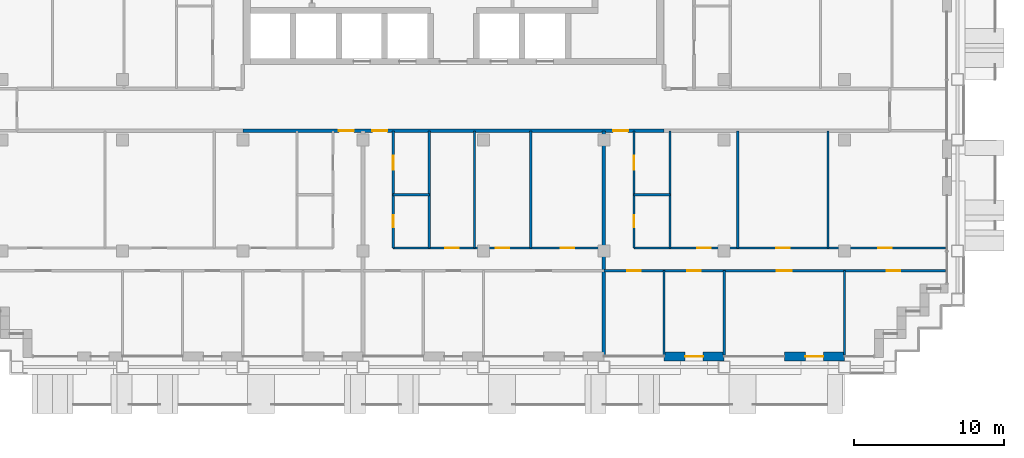
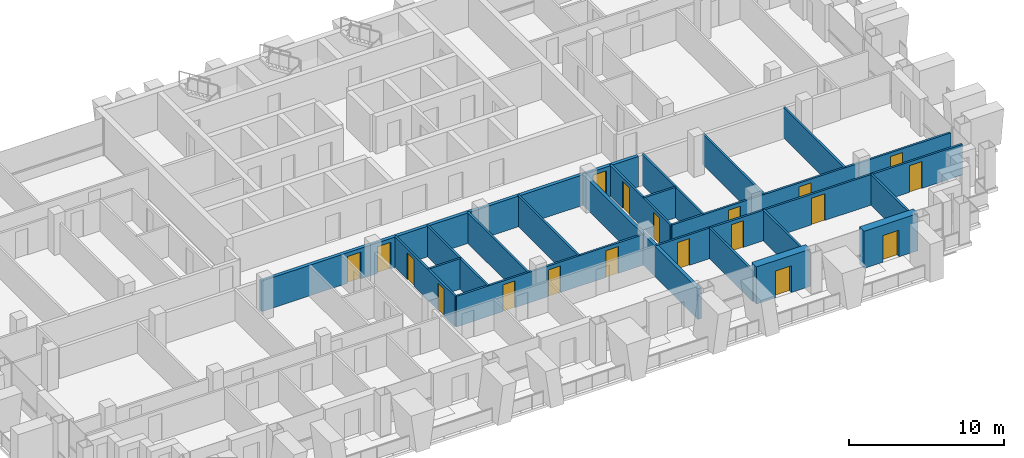
# One storey, part 9 of 16: 20 walls, 19 doors, 19 openings.
"""IFC4 building model written with IfcOpenShell, lengths in metres."""

from ifc_helpers import new_model, si_unit, direction, frame, frame_2d, origin, place, context, subcontext, project, spatial, rectangle, extrude, material, layer, layer_set, type_object, element, fill, save


model = new_model("IFC4")

# Units and contexts
model_context = context("Model", 3, precision=1e-05, world=origin(), true_north=direction((0.0, 1.0)))
body_context = subcontext(model_context, "Body", "Model", "MODEL_VIEW")
ifc_project = project(units=[si_unit("LENGTHUNIT", "METRE"), si_unit("AREAUNIT", "SQUARE_METRE"), si_unit("VOLUMEUNIT", "CUBIC_METRE"), si_unit("PLANEANGLEUNIT", "RADIAN"), si_unit("MASSUNIT", "GRAM", prefix="KILO")], contexts=[model_context])

# Site, building, storey
site_placement = place(None, origin())
site = spatial("IfcSite", under=ifc_project, at=site_placement, CompositionType="ELEMENT")
building_placement = place(site_placement, origin())
building = spatial("IfcBuilding", under=site, at=building_placement, Name="Vidyagriha Tower", CompositionType="ELEMENT")
storey_placement = place(building_placement, frame((0.0, 0.0, 135.800048828125)))
storey = spatial("IfcBuildingStorey", under=building, at=storey_placement, Name="L35", CompositionType="ELEMENT", Elevation=135.800048828125)

# Wall, opening, door
ifc_material_1 = material(Name="Precast concrete C40/50 with brick facing", Category="concrete")
ifc_layer_1 = layer(ifc_material_1, 0.60009765625)
ifc_layer_set_1 = layer_set([ifc_layer_1], Name="Precast concrete C40/50 with brick facing")
wall_type_1 = type_object("IfcWallType", Name="Brick-faced precast wall 600", PredefinedType="STANDARD", material=ifc_layer_set_1)
wall_1_placement = place(storey_placement, frame((14.0, -16.39990234375, 0.0)))
wall_1 = element("IfcWall", 1, at=wall_1_placement, inside=storey, type_object=wall_type_1, Name="Brick door bay wall L35 R23.12", PredefinedType="STANDARD", context=body_context, shape_type="SweptSolid", body=[
    extrude(rectangle(XDim=4.0, YDim=0.60009765625, at=frame_2d((2.0, 0.0))), origin(), (0.0, 0.0, 1.0), 2.919921875),
])
opening_1_placement = place(wall_1_placement, frame((1.39990234375, 0.0, 0.0)))
opening_1 = element("IfcOpeningElement", 2, at=opening_1_placement, cuts=wall_1, Name="Opening D35-72", PredefinedType="OPENING", context=body_context, shape_type="SweptSolid", body=[
    extrude(rectangle(XDim=1.199951171875, YDim=2.10009765625, at=frame_2d((0.60009765625, 1.050048828125))), frame((0.0, 0.31005859375, 0.0), z_axis=(0.0, -1.0, 0.0), x_axis=(1.0, 0.0, 0.0)), (0.0, 0.0, 1.0), 0.6201171875),
])
ifc_material_2 = material(Name="Aluminium framed glazed sliding door", Category="aluminium")
door_type_1 = type_object("IfcDoorType", Name="Balcony sliding door 1200x2100", OperationType="NOTDEFINED", PredefinedType="DOOR", material=ifc_material_2)
door_1_placement = place(opening_1_placement, origin())
door_1 = element("IfcDoor", 3, at=door_1_placement, inside=storey, type_object=door_type_1, Name="Door D35-72", OperationType="SLIDING_TO_LEFT", OverallHeight=2.10009765625, OverallWidth=1.199951171875, PredefinedType="DOOR", context=body_context, shape_type="SweptSolid", body=[
    extrude(rectangle(XDim=1.199951171875, YDim=2.10009765625, at=frame_2d((0.60009765625, 1.050048828125))), frame((0.0, 0.02490234375, 0.0), z_axis=(0.0, -1.0, 0.0), x_axis=(1.0, 0.0, 0.0)), (0.0, 0.0, 1.0), 0.050048828125),
])
fill(opening_1, door_1)

wall_2_placement = place(storey_placement, frame((22.0, -16.39990234375, 0.0)))
wall_2 = element("IfcWall", 4, at=wall_2_placement, inside=storey, type_object=wall_type_1, Name="Brick door bay wall L35 R23.14", PredefinedType="STANDARD", context=body_context, shape_type="SweptSolid", body=[
    extrude(rectangle(XDim=4.0, YDim=0.60009765625, at=frame_2d((2.0, 0.0))), origin(), (0.0, 0.0, 1.0), 2.919921875),
])
opening_2_placement = place(wall_2_placement, frame((1.39990234375, 0.0, 0.0)))
opening_2 = element("IfcOpeningElement", 5, at=opening_2_placement, cuts=wall_2, Name="Opening D35-73", PredefinedType="OPENING", context=body_context, shape_type="SweptSolid", body=[
    extrude(rectangle(XDim=1.199951171875, YDim=2.10009765625, at=frame_2d((0.60009765625, 1.050048828125))), frame((0.0, 0.31005859375, 0.0), z_axis=(0.0, -1.0, 0.0), x_axis=(1.0, 0.0, 0.0)), (0.0, 0.0, 1.0), 0.6201171875),
])
door_2_placement = place(opening_2_placement, origin())
door_2 = element("IfcDoor", 6, at=door_2_placement, inside=storey, type_object=door_type_1, Name="Door D35-73", OperationType="SLIDING_TO_LEFT", OverallHeight=2.10009765625, OverallWidth=1.199951171875, PredefinedType="DOOR", context=body_context, shape_type="SweptSolid", body=[
    extrude(rectangle(XDim=1.199951171875, YDim=2.10009765625, at=frame_2d((0.60009765625, 1.050048828125))), frame((0.0, 0.02490234375, 0.0), z_axis=(0.0, -1.0, 0.0), x_axis=(1.0, 0.0, 0.0)), (0.0, 0.0, 1.0), 0.050048828125),
])
fill(opening_2, door_2)

# Wall, openings, doors
ifc_material_3 = material(Name="Fired clay brick masonry", Category="masonry")
ifc_layer_2 = layer(ifc_material_3, 0.25)
ifc_layer_set_2 = layer_set([ifc_layer_2], Name="Fired clay brick masonry")
wall_type_2 = type_object("IfcWallType", Name="Fired clay brick corridor wall 250", PredefinedType="PARTITIONING", material=ifc_layer_set_2)
wall_3_placement = place(storey_placement, frame((14.0, -1.39990234375, 0.0), z_axis=(0.0, 0.0, 1.0), x_axis=(-1.0, 0.0, 0.0)))
wall_3 = element("IfcWall", 7, at=wall_3_placement, inside=storey, type_object=wall_type_2, Name="Wall all-L35-w112", PredefinedType="PARTITIONING", context=body_context, shape_type="SweptSolid", body=[
    extrude(rectangle(XDim=28.0, YDim=0.25, at=frame_2d((14.0, 0.0))), origin(), (0.0, 0.0, 1.0), 2.39990234375),
])
opening_3_placement = place(wall_3_placement, frame((20.617919921875, 0.0, 0.0)))
opening_3 = element("IfcOpeningElement", 8, at=opening_3_placement, cuts=wall_3, Name="Opening D35-25", PredefinedType="OPENING", context=body_context, shape_type="SweptSolid", body=[
    extrude(rectangle(XDim=1.0, YDim=2.10009765625, at=frame_2d((0.5, 1.050048828125))), frame((0.0, 0.135009765625, 0.0), z_axis=(0.0, -1.0, 0.0), x_axis=(1.0, 0.0, 0.0)), (0.0, 0.0, 1.0), 0.27001953125),
])
opening_4_placement = place(wall_3_placement, frame((18.382080078125, 0.0, 0.0)))
opening_4 = element("IfcOpeningElement", 9, at=opening_4_placement, cuts=wall_3, Name="Opening D35-34", PredefinedType="OPENING", context=body_context, shape_type="SweptSolid", body=[
    extrude(rectangle(XDim=1.0, YDim=2.10009765625, at=frame_2d((0.5, 1.050048828125))), frame((0.0, 0.135009765625, 0.0), z_axis=(0.0, -1.0, 0.0), x_axis=(1.0, 0.0, 0.0)), (0.0, 0.0, 1.0), 0.27001953125),
])
opening_5_placement = place(wall_3_placement, frame((2.382080078125, 0.0, 0.0)))
opening_5 = element("IfcOpeningElement", 10, at=opening_5_placement, cuts=wall_3, Name="Opening D35-44", PredefinedType="OPENING", context=body_context, shape_type="SweptSolid", body=[
    extrude(rectangle(XDim=1.0, YDim=2.10009765625, at=frame_2d((0.5, 1.050048828125))), frame((0.0, 0.135009765625, 0.0), z_axis=(0.0, -1.0, 0.0), x_axis=(1.0, 0.0, 0.0)), (0.0, 0.0, 1.0), 0.27001953125),
])
ifc_material_4 = material(Name="Fire-rated timber door leaf EI 60", Category="wood")
door_type_2 = type_object("IfcDoorType", Name="Flat entrance fire door 1000x2100", OperationType="NOTDEFINED", PredefinedType="DOOR", material=ifc_material_4)
door_3_placement = place(opening_3_placement, origin())
door_3 = element("IfcDoor", 11, at=door_3_placement, inside=storey, type_object=door_type_2, Name="Door D35-25", OperationType="SINGLE_SWING_LEFT", OverallHeight=2.10009765625, OverallWidth=1.0, PredefinedType="DOOR", context=body_context, shape_type="SweptSolid", body=[
    extrude(rectangle(XDim=1.0, YDim=2.10009765625, at=frame_2d((0.5, 1.050048828125))), frame((0.0, 0.02490234375, 0.0), z_axis=(0.0, -1.0, 0.0), x_axis=(1.0, 0.0, 0.0)), (0.0, 0.0, 1.0), 0.050048828125),
])
fill(opening_3, door_3)
door_4_placement = place(opening_4_placement, origin())
door_4 = element("IfcDoor", 12, at=door_4_placement, inside=storey, type_object=door_type_2, Name="Door D35-34", OperationType="SINGLE_SWING_RIGHT", OverallHeight=2.10009765625, OverallWidth=1.0, PredefinedType="DOOR", context=body_context, shape_type="SweptSolid", body=[
    extrude(rectangle(XDim=1.0, YDim=2.10009765625, at=frame_2d((0.5, 1.050048828125))), frame((0.0, 0.02490234375, 0.0), z_axis=(0.0, -1.0, 0.0), x_axis=(1.0, 0.0, 0.0)), (0.0, 0.0, 1.0), 0.050048828125),
])
fill(opening_4, door_4)
door_5_placement = place(opening_5_placement, origin())
door_5 = element("IfcDoor", 13, at=door_5_placement, inside=storey, type_object=door_type_2, Name="Door D35-44", OperationType="SINGLE_SWING_RIGHT", OverallHeight=2.10009765625, OverallWidth=1.0, PredefinedType="DOOR", context=body_context, shape_type="SweptSolid", body=[
    extrude(rectangle(XDim=1.0, YDim=2.10009765625, at=frame_2d((0.5, 1.050048828125))), frame((0.0, 0.02490234375, 0.0), z_axis=(0.0, -1.0, 0.0), x_axis=(1.0, 0.0, 0.0)), (0.0, 0.0, 1.0), 0.050048828125),
])
fill(opening_5, door_5)

# Walls
ifc_material_5 = material(Name="Fired clay brick masonry", Category="masonry")
ifc_layer_3 = layer(ifc_material_5, 0.25)
ifc_layer_set_3 = layer_set([ifc_layer_3], Name="Fired clay brick masonry")
wall_type_3 = type_object("IfcWallType", Name="Fired clay brick demising wall 250", PredefinedType="PARTITIONING", material=ifc_layer_set_3)
wall_4_placement = place(storey_placement, frame((10.0, -1.39990234375, 0.0), z_axis=(0.0, 0.0, 1.0), x_axis=(0.0, -1.0, 0.0)))
element("IfcWall", 14, at=wall_4_placement, inside=storey, type_object=wall_type_3, Name="Wall all-L35-w062", PredefinedType="PARTITIONING", context=body_context, shape_type="SweptSolid", body=[
    extrude(rectangle(XDim=14.91015625, YDim=0.25, at=frame_2d((7.455078125, 0.0))), origin(), (0.0, 0.0, 1.0), 2.39990234375),
])
ifc_material_6 = material(Name="Gypsum board partition")
ifc_layer_4 = layer(ifc_material_6, 0.14990234375)
ifc_layer_set_4 = layer_set([ifc_layer_4], Name="Gypsum board partition")
wall_type_4 = type_object("IfcWallType", Name="Gypsum board partition 150", PredefinedType="PARTITIONING", material=ifc_layer_set_4)
wall_5_placement = place(storey_placement, frame((-1.60009765625, -5.64990234375, 0.0), z_axis=(0.0, 0.0, 1.0), x_axis=(-1.0, 0.0, 0.0)))
element("IfcWall", 15, at=wall_5_placement, inside=storey, type_object=wall_type_4, Name="Wall all-L35-w026", PredefinedType="PARTITIONING", context=body_context, shape_type="SweptSolid", body=[
    extrude(rectangle(XDim=2.39990234375, YDim=0.14990234375, at=frame_2d((1.199951171875, 0.0))), origin(), (0.0, 0.0, 1.0), 2.39990234375),
])
for number, where, z_axis, x_axis, name in (
    (16, (-1.60009765625, -1.39990234375, 0.0), (0.0, 0.0, 1.0), (0.0, -1.0, 0.0), "Wall all-L35-w027"),
    (17, (1.39990234375, -1.39990234375, 0.0), (0.0, 0.0, 1.0), (0.0, -1.0, 0.0), "Wall all-L35-w028"),
    (18, (5.14990234375, -1.39990234375, 0.0), (0.0, 0.0, 1.0), (0.0, -1.0, 0.0), "Wall all-L35-w029"),
):
    element("IfcWall", number, at=place(storey_placement, frame(where, z_axis=z_axis, x_axis=x_axis)), inside=storey, type_object=wall_type_4, Name=name, PredefinedType="PARTITIONING", context=body_context, shape_type="SweptSolid", body=[
        extrude(rectangle(XDim=7.800048828125, YDim=0.14990234375, at=frame_2d((3.89990234375, 0.0))), origin(), (0.0, 0.0, 1.0), 2.39990234375),
    ])

# Wall, openings, doors
wall_6_placement = place(storey_placement, frame((-4.0, -9.199951171875, 0.0)))
wall_6 = element("IfcWall", 19, at=wall_6_placement, inside=storey, type_object=wall_type_4, Name="Wall all-L35-w030", PredefinedType="PARTITIONING", context=body_context, shape_type="SweptSolid", body=[
    extrude(rectangle(XDim=14.0, YDim=0.14990234375, at=frame_2d((7.0, 0.0))), origin(), (0.0, 0.0, 1.0), 2.39990234375),
])
opening_6_placement = place(wall_6_placement, frame((3.449951171875, 0.0, 0.0)))
opening_6 = element("IfcOpeningElement", 20, at=opening_6_placement, cuts=wall_6, Name="Opening D35-28", PredefinedType="OPENING", context=body_context, shape_type="SweptSolid", body=[
    extrude(rectangle(XDim=0.89990234375, YDim=2.10009765625, at=frame_2d((0.449951171875, 1.050048828125))), frame((0.0, 0.0849609375, 0.0), z_axis=(0.0, -1.0, 0.0), x_axis=(1.0, 0.0, 0.0)), (0.0, 0.0, 1.0), 0.169921875),
])
opening_7_placement = place(wall_6_placement, frame((6.824951171875, 0.0, 0.0)))
opening_7 = element("IfcOpeningElement", 21, at=opening_7_placement, cuts=wall_6, Name="Opening D35-29", PredefinedType="OPENING", context=body_context, shape_type="SweptSolid", body=[
    extrude(rectangle(XDim=0.89990234375, YDim=2.10009765625, at=frame_2d((0.449951171875, 1.050048828125))), frame((0.0, 0.0849609375, 0.0), z_axis=(0.0, -1.0, 0.0), x_axis=(1.0, 0.0, 0.0)), (0.0, 0.0, 1.0), 0.169921875),
])
opening_8_placement = place(wall_6_placement, frame((11.125, 0.0, 0.0)))
opening_8 = element("IfcOpeningElement", 22, at=opening_8_placement, cuts=wall_6, Name="Opening D35-30", PredefinedType="OPENING", context=body_context, shape_type="SweptSolid", body=[
    extrude(rectangle(XDim=0.89990234375, YDim=2.10009765625, at=frame_2d((0.449951171875, 1.050048828125))), frame((0.0, 0.0849609375, 0.0), z_axis=(0.0, -1.0, 0.0), x_axis=(1.0, 0.0, 0.0)), (0.0, 0.0, 1.0), 0.169921875),
])
ifc_material_7 = material(Name="Timber door leaf", Category="wood")
door_type_3 = type_object("IfcDoorType", Name="Room door 900x2100", OperationType="NOTDEFINED", PredefinedType="DOOR", material=ifc_material_7)
door_6_placement = place(opening_6_placement, origin())
door_6 = element("IfcDoor", 23, at=door_6_placement, inside=storey, type_object=door_type_3, Name="Door D35-28", OperationType="SINGLE_SWING_RIGHT", OverallHeight=2.10009765625, OverallWidth=0.89990234375, PredefinedType="DOOR", context=body_context, shape_type="SweptSolid", body=[
    extrude(rectangle(XDim=0.89990234375, YDim=2.10009765625, at=frame_2d((0.449951171875, 1.050048828125))), frame((0.0, 0.02490234375, 0.0), z_axis=(0.0, -1.0, 0.0), x_axis=(1.0, 0.0, 0.0)), (0.0, 0.0, 1.0), 0.050048828125),
])
fill(opening_6, door_6)
door_7_placement = place(opening_7_placement, origin())
door_7 = element("IfcDoor", 24, at=door_7_placement, inside=storey, type_object=door_type_3, Name="Door D35-29", OperationType="SINGLE_SWING_RIGHT", OverallHeight=2.10009765625, OverallWidth=0.89990234375, PredefinedType="DOOR", context=body_context, shape_type="SweptSolid", body=[
    extrude(rectangle(XDim=0.89990234375, YDim=2.10009765625, at=frame_2d((0.449951171875, 1.050048828125))), frame((0.0, 0.02490234375, 0.0), z_axis=(0.0, -1.0, 0.0), x_axis=(1.0, 0.0, 0.0)), (0.0, 0.0, 1.0), 0.050048828125),
])
fill(opening_7, door_7)
door_8_placement = place(opening_8_placement, origin())
door_8 = element("IfcDoor", 25, at=door_8_placement, inside=storey, type_object=door_type_3, Name="Door D35-30", OperationType="SINGLE_SWING_LEFT", OverallHeight=2.10009765625, OverallWidth=0.89990234375, PredefinedType="DOOR", context=body_context, shape_type="SweptSolid", body=[
    extrude(rectangle(XDim=0.89990234375, YDim=2.10009765625, at=frame_2d((0.449951171875, 1.050048828125))), frame((0.0, 0.02490234375, 0.0), z_axis=(0.0, -1.0, 0.0), x_axis=(1.0, 0.0, 0.0)), (0.0, 0.0, 1.0), 0.050048828125),
])
fill(opening_8, door_8)

# Walls
wall_7_placement = place(storey_placement, frame((14.39990234375, -5.64990234375, 0.0), z_axis=(0.0, 0.0, 1.0), x_axis=(-1.0, 0.0, 0.0)))
element("IfcWall", 26, at=wall_7_placement, inside=storey, type_object=wall_type_4, Name="Wall all-L35-w045", PredefinedType="PARTITIONING", context=body_context, shape_type="SweptSolid", body=[
    extrude(rectangle(XDim=2.39990234375, YDim=0.14990234375, at=frame_2d((1.199951171875, 0.0))), origin(), (0.0, 0.0, 1.0), 2.39990234375),
])
for number, where, z_axis, x_axis, name in (
    (27, (14.39990234375, -1.39990234375, 0.0), (0.0, 0.0, 1.0), (0.0, -1.0, 0.0), "Wall all-L35-w046"),
    (28, (18.89990234375, -1.39990234375, 0.0), (0.0, 0.0, 1.0), (0.0, -1.0, 0.0), "Wall all-L35-w047"),
    (29, (24.89990234375, -1.39990234375, 0.0), (0.0, 0.0, 1.0), (0.0, -1.0, 0.0), "Wall all-L35-w048"),
):
    element("IfcWall", number, at=place(storey_placement, frame(where, z_axis=z_axis, x_axis=x_axis)), inside=storey, type_object=wall_type_4, Name=name, PredefinedType="PARTITIONING", context=body_context, shape_type="SweptSolid", body=[
        extrude(rectangle(XDim=7.800048828125, YDim=0.14990234375, at=frame_2d((3.89990234375, 0.0))), origin(), (0.0, 0.0, 1.0), 2.39990234375),
    ])

# Wall, openings, doors
wall_8_placement = place(storey_placement, frame((12.0, -9.199951171875, 0.0)))
wall_8 = element("IfcWall", 30, at=wall_8_placement, inside=storey, type_object=wall_type_4, Name="Wall all-L35-w049", PredefinedType="PARTITIONING", context=body_context, shape_type="SweptSolid", body=[
    extrude(rectangle(XDim=20.719970703125, YDim=0.14990234375, at=frame_2d((10.35986328125, 0.0))), origin(), (0.0, 0.0, 1.0), 2.39990234375),
])
opening_9_placement = place(wall_8_placement, frame((4.199951171875, 0.0, 0.0)))
opening_9 = element("IfcOpeningElement", 31, at=opening_9_placement, cuts=wall_8, Name="Opening D35-37", PredefinedType="OPENING", context=body_context, shape_type="SweptSolid", body=[
    extrude(rectangle(XDim=0.89990234375, YDim=2.10009765625, at=frame_2d((0.449951171875, 1.050048828125))), frame((0.0, 0.0849609375, 0.0), z_axis=(0.0, -1.0, 0.0), x_axis=(1.0, 0.0, 0.0)), (0.0, 0.0, 1.0), 0.169921875),
])
opening_10_placement = place(wall_8_placement, frame((9.449951171875, 0.0, 0.0)))
opening_10 = element("IfcOpeningElement", 32, at=opening_10_placement, cuts=wall_8, Name="Opening D35-38", PredefinedType="OPENING", context=body_context, shape_type="SweptSolid", body=[
    extrude(rectangle(XDim=0.89990234375, YDim=2.10009765625, at=frame_2d((0.449951171875, 1.050048828125))), frame((0.0, 0.0849609375, 0.0), z_axis=(0.0, -1.0, 0.0), x_axis=(1.0, 0.0, 0.0)), (0.0, 0.0, 1.0), 0.169921875),
])
opening_11_placement = place(wall_8_placement, frame((16.25, 0.0, 0.0)))
opening_11 = element("IfcOpeningElement", 33, at=opening_11_placement, cuts=wall_8, Name="Opening D35-39", PredefinedType="OPENING", context=body_context, shape_type="SweptSolid", body=[
    extrude(rectangle(XDim=0.89990234375, YDim=2.10009765625, at=frame_2d((0.449951171875, 1.050048828125))), frame((0.0, 0.0849609375, 0.0), z_axis=(0.0, -1.0, 0.0), x_axis=(1.0, 0.0, 0.0)), (0.0, 0.0, 1.0), 0.169921875),
])
door_9_placement = place(opening_9_placement, origin())
door_9 = element("IfcDoor", 34, at=door_9_placement, inside=storey, type_object=door_type_3, Name="Door D35-37", OperationType="SINGLE_SWING_LEFT", OverallHeight=2.10009765625, OverallWidth=0.89990234375, PredefinedType="DOOR", context=body_context, shape_type="SweptSolid", body=[
    extrude(rectangle(XDim=0.89990234375, YDim=2.10009765625, at=frame_2d((0.449951171875, 1.050048828125))), frame((0.0, 0.02490234375, 0.0), z_axis=(0.0, -1.0, 0.0), x_axis=(1.0, 0.0, 0.0)), (0.0, 0.0, 1.0), 0.050048828125),
])
fill(opening_9, door_9)
door_10_placement = place(opening_10_placement, origin())
door_10 = element("IfcDoor", 35, at=door_10_placement, inside=storey, type_object=door_type_3, Name="Door D35-38", OperationType="SINGLE_SWING_RIGHT", OverallHeight=2.10009765625, OverallWidth=0.89990234375, PredefinedType="DOOR", context=body_context, shape_type="SweptSolid", body=[
    extrude(rectangle(XDim=0.89990234375, YDim=2.10009765625, at=frame_2d((0.449951171875, 1.050048828125))), frame((0.0, 0.02490234375, 0.0), z_axis=(0.0, -1.0, 0.0), x_axis=(1.0, 0.0, 0.0)), (0.0, 0.0, 1.0), 0.050048828125),
])
fill(opening_10, door_10)
door_11_placement = place(opening_11_placement, origin())
door_11 = element("IfcDoor", 36, at=door_11_placement, inside=storey, type_object=door_type_3, Name="Door D35-39", OperationType="SINGLE_SWING_RIGHT", OverallHeight=2.10009765625, OverallWidth=0.89990234375, PredefinedType="DOOR", context=body_context, shape_type="SweptSolid", body=[
    extrude(rectangle(XDim=0.89990234375, YDim=2.10009765625, at=frame_2d((0.449951171875, 1.050048828125))), frame((0.0, 0.02490234375, 0.0), z_axis=(0.0, -1.0, 0.0), x_axis=(1.0, 0.0, 0.0)), (0.0, 0.0, 1.0), 0.050048828125),
])
fill(opening_11, door_11)

wall_9_placement = place(storey_placement, frame((32.719970703125, -10.699951171875, 0.0), z_axis=(0.0, 0.0, 1.0), x_axis=(-1.0, 0.0, 0.0)))
wall_9 = element("IfcWall", 37, at=wall_9_placement, inside=storey, type_object=wall_type_4, Name="Wall all-L35-w053", PredefinedType="PARTITIONING", context=body_context, shape_type="SweptSolid", body=[
    extrude(rectangle(XDim=22.719970703125, YDim=0.14990234375, at=frame_2d((11.35986328125, 0.0))), origin(), (0.0, 0.0, 1.0), 2.39990234375),
])
opening_12_placement = place(wall_9_placement, frame((20.27001953125, 0.0, 0.0)))
opening_12 = element("IfcOpeningElement", 38, at=opening_12_placement, cuts=wall_9, Name="Opening D35-40", PredefinedType="OPENING", context=body_context, shape_type="SweptSolid", body=[
    extrude(rectangle(XDim=0.89990234375, YDim=2.10009765625, at=frame_2d((0.449951171875, 1.050048828125))), frame((0.0, 0.0849609375, 0.0), z_axis=(0.0, -1.0, 0.0), x_axis=(1.0, 0.0, 0.0)), (0.0, 0.0, 1.0), 0.169921875),
])
opening_13_placement = place(wall_9_placement, frame((16.27001953125, 0.0, 0.0)))
opening_13 = element("IfcOpeningElement", 39, at=opening_13_placement, cuts=wall_9, Name="Opening D35-41", PredefinedType="OPENING", context=body_context, shape_type="SweptSolid", body=[
    extrude(rectangle(XDim=0.89990234375, YDim=2.10009765625, at=frame_2d((0.449951171875, 1.050048828125))), frame((0.0, 0.0849609375, 0.0), z_axis=(0.0, -1.0, 0.0), x_axis=(1.0, 0.0, 0.0)), (0.0, 0.0, 1.0), 0.169921875),
])
opening_14_placement = place(wall_9_placement, frame((10.219970703125, 0.0, 0.0)))
opening_14 = element("IfcOpeningElement", 40, at=opening_14_placement, cuts=wall_9, Name="Opening D35-42", PredefinedType="OPENING", context=body_context, shape_type="SweptSolid", body=[
    extrude(rectangle(XDim=1.0, YDim=2.10009765625, at=frame_2d((0.5, 1.050048828125))), frame((0.0, 0.0849609375, 0.0), z_axis=(0.0, -1.0, 0.0), x_axis=(1.0, 0.0, 0.0)), (0.0, 0.0, 1.0), 0.169921875),
])
opening_15_placement = place(wall_9_placement, frame((3.02001953125, 0.0, 0.0)))
opening_15 = element("IfcOpeningElement", 41, at=opening_15_placement, cuts=wall_9, Name="Opening D35-43", PredefinedType="OPENING", context=body_context, shape_type="SweptSolid", body=[
    extrude(rectangle(XDim=0.89990234375, YDim=2.10009765625, at=frame_2d((0.449951171875, 1.050048828125))), frame((0.0, 0.0849609375, 0.0), z_axis=(0.0, -1.0, 0.0), x_axis=(1.0, 0.0, 0.0)), (0.0, 0.0, 1.0), 0.169921875),
])
ifc_material_8 = material(Name="Timber door leaf", Category="wood")
door_type_4 = type_object("IfcDoorType", Name="Room door 1000x2100", OperationType="NOTDEFINED", PredefinedType="DOOR", material=ifc_material_8)
door_12_placement = place(opening_14_placement, origin())
door_12 = element("IfcDoor", 42, at=door_12_placement, inside=storey, type_object=door_type_4, Name="Door D35-42", OperationType="SINGLE_SWING_RIGHT", OverallHeight=2.10009765625, OverallWidth=1.0, PredefinedType="DOOR", context=body_context, shape_type="SweptSolid", body=[
    extrude(rectangle(XDim=1.0, YDim=2.10009765625, at=frame_2d((0.5, 1.050048828125))), frame((0.0, 0.02490234375, 0.0), z_axis=(0.0, -1.0, 0.0), x_axis=(1.0, 0.0, 0.0)), (0.0, 0.0, 1.0), 0.050048828125),
])
fill(opening_14, door_12)
door_13_placement = place(opening_12_placement, origin())
door_13 = element("IfcDoor", 43, at=door_13_placement, inside=storey, type_object=door_type_3, Name="Door D35-40", OperationType="SINGLE_SWING_RIGHT", OverallHeight=2.10009765625, OverallWidth=0.89990234375, PredefinedType="DOOR", context=body_context, shape_type="SweptSolid", body=[
    extrude(rectangle(XDim=0.89990234375, YDim=2.10009765625, at=frame_2d((0.449951171875, 1.050048828125))), frame((0.0, 0.02490234375, 0.0), z_axis=(0.0, -1.0, 0.0), x_axis=(1.0, 0.0, 0.0)), (0.0, 0.0, 1.0), 0.050048828125),
])
fill(opening_12, door_13)
door_14_placement = place(opening_13_placement, origin())
door_14 = element("IfcDoor", 44, at=door_14_placement, inside=storey, type_object=door_type_3, Name="Door D35-41", OperationType="SINGLE_SWING_RIGHT", OverallHeight=2.10009765625, OverallWidth=0.89990234375, PredefinedType="DOOR", context=body_context, shape_type="SweptSolid", body=[
    extrude(rectangle(XDim=0.89990234375, YDim=2.10009765625, at=frame_2d((0.449951171875, 1.050048828125))), frame((0.0, 0.02490234375, 0.0), z_axis=(0.0, -1.0, 0.0), x_axis=(1.0, 0.0, 0.0)), (0.0, 0.0, 1.0), 0.050048828125),
])
fill(opening_13, door_14)
door_15_placement = place(opening_15_placement, origin())
door_15 = element("IfcDoor", 45, at=door_15_placement, inside=storey, type_object=door_type_3, Name="Door D35-43", OperationType="SINGLE_SWING_RIGHT", OverallHeight=2.10009765625, OverallWidth=0.89990234375, PredefinedType="DOOR", context=body_context, shape_type="SweptSolid", body=[
    extrude(rectangle(XDim=0.89990234375, YDim=2.10009765625, at=frame_2d((0.449951171875, 1.050048828125))), frame((0.0, 0.02490234375, 0.0), z_axis=(0.0, -1.0, 0.0), x_axis=(1.0, 0.0, 0.0)), (0.0, 0.0, 1.0), 0.050048828125),
])
fill(opening_15, door_15)

# Walls
wall_10_placement = place(storey_placement, frame((14.0, -10.699951171875, 0.0), z_axis=(0.0, 0.0, 1.0), x_axis=(0.0, -1.0, 0.0)))
element("IfcWall", 46, at=wall_10_placement, inside=storey, type_object=wall_type_4, Name="Wall all-L35-w058", PredefinedType="PARTITIONING", context=body_context, shape_type="SweptSolid", body=[
    extrude(rectangle(XDim=5.62109375, YDim=0.14990234375, at=frame_2d((2.810546875, 0.0))), origin(), (0.0, 0.0, 1.0), 2.39990234375),
])
for number, where, z_axis, x_axis, name in (
    (47, (18.0, -10.699951171875, 0.0), (0.0, 0.0, 1.0), (0.0, -1.0, 0.0), "Wall all-L35-w059"),
    (48, (26.0, -10.699951171875, 0.0), (0.0, 0.0, 1.0), (0.0, -1.0, 0.0), "Wall all-L35-w060"),
):
    element("IfcWall", number, at=place(storey_placement, frame(where, z_axis=z_axis, x_axis=x_axis)), inside=storey, type_object=wall_type_4, Name=name, PredefinedType="PARTITIONING", context=body_context, shape_type="SweptSolid", body=[
        extrude(rectangle(XDim=5.610107421875, YDim=0.14990234375, at=frame_2d((2.80517578125, 0.0))), origin(), (0.0, 0.0, 1.0), 2.39990234375),
    ])

# Wall, openings, doors
ifc_material_9 = material(Name="Moisture resistant gypsum board partition")
ifc_layer_5 = layer(ifc_material_9, 0.14990234375)
ifc_layer_set_5 = layer_set([ifc_layer_5], Name="Moisture resistant gypsum board partition")
wall_type_5 = type_object("IfcWallType", Name="Gypsum board wet-area partition 150", PredefinedType="PARTITIONING", material=ifc_layer_set_5)
wall_11_placement = place(storey_placement, frame((-4.0, -1.39990234375, 0.0), z_axis=(0.0, 0.0, 1.0), x_axis=(0.0, -1.0, 0.0)))
wall_11 = element("IfcWall", 49, at=wall_11_placement, inside=storey, type_object=wall_type_5, Name="Wall all-L35-w023", PredefinedType="PARTITIONING", context=body_context, shape_type="SweptSolid", body=[
    extrude(rectangle(XDim=7.800048828125, YDim=0.14990234375, at=frame_2d((3.89990234375, 0.0))), origin(), (0.0, 0.0, 1.0), 2.39990234375),
])
opening_16_placement = place(wall_11_placement, frame((1.675048828125, 0.0, 0.0)))
opening_16 = element("IfcOpeningElement", 50, at=opening_16_placement, cuts=wall_11, Name="Opening D35-26", PredefinedType="OPENING", context=body_context, shape_type="SweptSolid", body=[
    extrude(rectangle(XDim=0.89990234375, YDim=2.10009765625, at=frame_2d((0.449951171875, 1.050048828125))), frame((0.0, 0.0849609375, 0.0), z_axis=(0.0, -1.0, 0.0), x_axis=(1.0, 0.0, 0.0)), (0.0, 0.0, 1.0), 0.169921875),
])
opening_17_placement = place(wall_11_placement, frame((5.625, 0.0, 0.0)))
opening_17 = element("IfcOpeningElement", 51, at=opening_17_placement, cuts=wall_11, Name="Opening D35-27", PredefinedType="OPENING", context=body_context, shape_type="SweptSolid", body=[
    extrude(rectangle(XDim=0.800048828125, YDim=2.10009765625, at=frame_2d((0.39990234375, 1.050048828125))), frame((0.0, 0.0849609375, 0.0), z_axis=(0.0, -1.0, 0.0), x_axis=(1.0, 0.0, 0.0)), (0.0, 0.0, 1.0), 0.169921875),
])
ifc_material_10 = material(Name="Timber door leaf", Category="wood")
door_type_5 = type_object("IfcDoorType", Name="Bathroom door 800x2100", OperationType="NOTDEFINED", PredefinedType="DOOR", material=ifc_material_10)
door_16_placement = place(opening_17_placement, origin())
door_16 = element("IfcDoor", 52, at=door_16_placement, inside=storey, type_object=door_type_5, Name="Door D35-27", OperationType="SINGLE_SWING_RIGHT", OverallHeight=2.10009765625, OverallWidth=0.800048828125, PredefinedType="DOOR", context=body_context, shape_type="SweptSolid", body=[
    extrude(rectangle(XDim=0.800048828125, YDim=2.10009765625, at=frame_2d((0.39990234375, 1.050048828125))), frame((0.0, 0.02490234375, 0.0), z_axis=(0.0, -1.0, 0.0), x_axis=(1.0, 0.0, 0.0)), (0.0, 0.0, 1.0), 0.050048828125),
])
fill(opening_17, door_16)
ifc_material_11 = material(Name="Timber door leaf", Category="wood")
door_type_6 = type_object("IfcDoorType", Name="Kitchen door 900x2100", OperationType="NOTDEFINED", PredefinedType="DOOR", material=ifc_material_11)
door_17_placement = place(opening_16_placement, origin())
door_17 = element("IfcDoor", 53, at=door_17_placement, inside=storey, type_object=door_type_6, Name="Door D35-26", OperationType="SINGLE_SWING_LEFT", OverallHeight=2.10009765625, OverallWidth=0.89990234375, PredefinedType="DOOR", context=body_context, shape_type="SweptSolid", body=[
    extrude(rectangle(XDim=0.89990234375, YDim=2.10009765625, at=frame_2d((0.449951171875, 1.050048828125))), frame((0.0, 0.02490234375, 0.0), z_axis=(0.0, -1.0, 0.0), x_axis=(1.0, 0.0, 0.0)), (0.0, 0.0, 1.0), 0.050048828125),
])
fill(opening_16, door_17)

wall_12_placement = place(storey_placement, frame((12.0, -1.39990234375, 0.0), z_axis=(0.0, 0.0, 1.0), x_axis=(0.0, -1.0, 0.0)))
wall_12 = element("IfcWall", 54, at=wall_12_placement, inside=storey, type_object=wall_type_5, Name="Wall all-L35-w042", PredefinedType="PARTITIONING", context=body_context, shape_type="SweptSolid", body=[
    extrude(rectangle(XDim=7.800048828125, YDim=0.14990234375, at=frame_2d((3.89990234375, 0.0))), origin(), (0.0, 0.0, 1.0), 2.39990234375),
])
opening_18_placement = place(wall_12_placement, frame((1.675048828125, 0.0, 0.0)))
opening_18 = element("IfcOpeningElement", 55, at=opening_18_placement, cuts=wall_12, Name="Opening D35-35", PredefinedType="OPENING", context=body_context, shape_type="SweptSolid", body=[
    extrude(rectangle(XDim=0.89990234375, YDim=2.10009765625, at=frame_2d((0.449951171875, 1.050048828125))), frame((0.0, 0.0849609375, 0.0), z_axis=(0.0, -1.0, 0.0), x_axis=(1.0, 0.0, 0.0)), (0.0, 0.0, 1.0), 0.169921875),
])
opening_19_placement = place(wall_12_placement, frame((5.625, 0.0, 0.0)))
opening_19 = element("IfcOpeningElement", 56, at=opening_19_placement, cuts=wall_12, Name="Opening D35-36", PredefinedType="OPENING", context=body_context, shape_type="SweptSolid", body=[
    extrude(rectangle(XDim=0.800048828125, YDim=2.10009765625, at=frame_2d((0.39990234375, 1.050048828125))), frame((0.0, 0.0849609375, 0.0), z_axis=(0.0, -1.0, 0.0), x_axis=(1.0, 0.0, 0.0)), (0.0, 0.0, 1.0), 0.169921875),
])
door_18_placement = place(opening_19_placement, origin())
door_18 = element("IfcDoor", 57, at=door_18_placement, inside=storey, type_object=door_type_5, Name="Door D35-36", OperationType="SINGLE_SWING_RIGHT", OverallHeight=2.10009765625, OverallWidth=0.800048828125, PredefinedType="DOOR", context=body_context, shape_type="SweptSolid", body=[
    extrude(rectangle(XDim=0.800048828125, YDim=2.10009765625, at=frame_2d((0.39990234375, 1.050048828125))), frame((0.0, 0.02490234375, 0.0), z_axis=(0.0, -1.0, 0.0), x_axis=(1.0, 0.0, 0.0)), (0.0, 0.0, 1.0), 0.050048828125),
])
fill(opening_19, door_18)
door_19_placement = place(opening_18_placement, origin())
door_19 = element("IfcDoor", 58, at=door_19_placement, inside=storey, type_object=door_type_6, Name="Door D35-35", OperationType="SINGLE_SWING_LEFT", OverallHeight=2.10009765625, OverallWidth=0.89990234375, PredefinedType="DOOR", context=body_context, shape_type="SweptSolid", body=[
    extrude(rectangle(XDim=0.89990234375, YDim=2.10009765625, at=frame_2d((0.449951171875, 1.050048828125))), frame((0.0, 0.02490234375, 0.0), z_axis=(0.0, -1.0, 0.0), x_axis=(1.0, 0.0, 0.0)), (0.0, 0.0, 1.0), 0.050048828125),
])
fill(opening_18, door_19)

save(model, "model.ifc")
